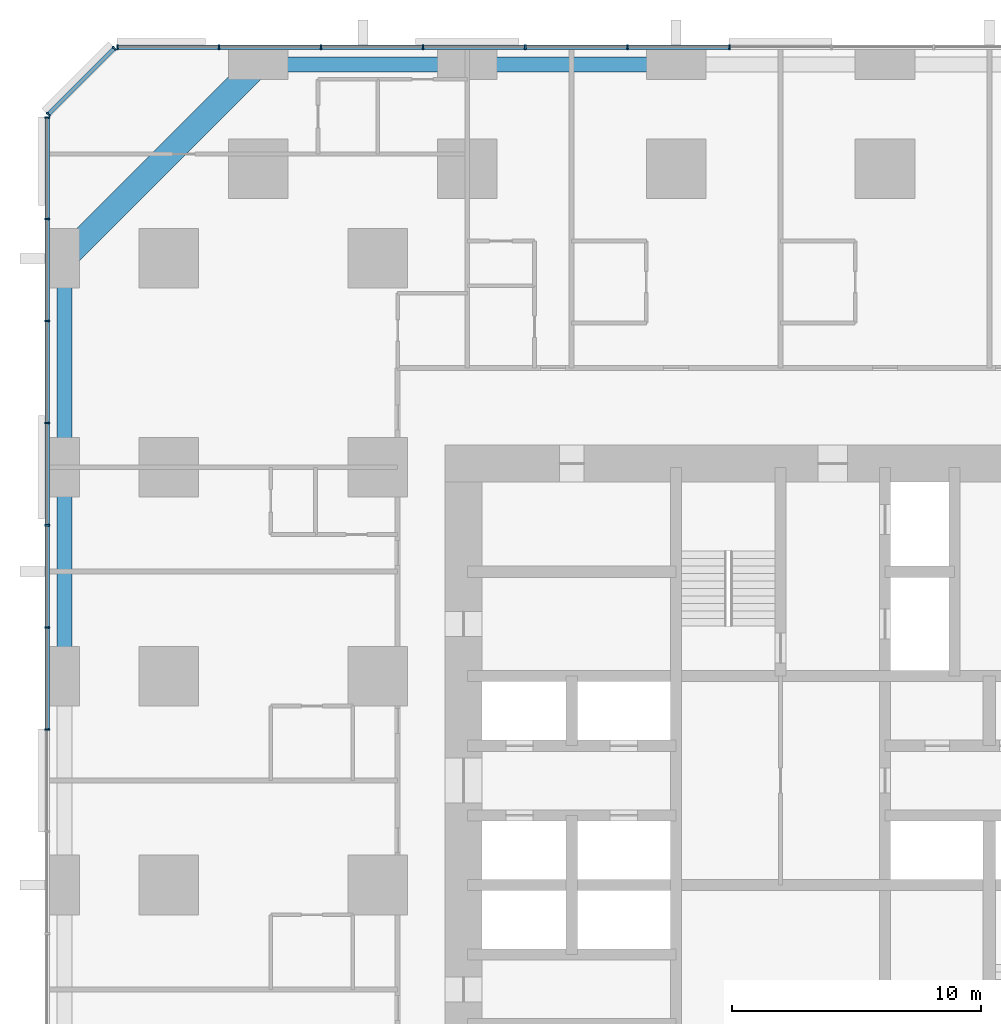
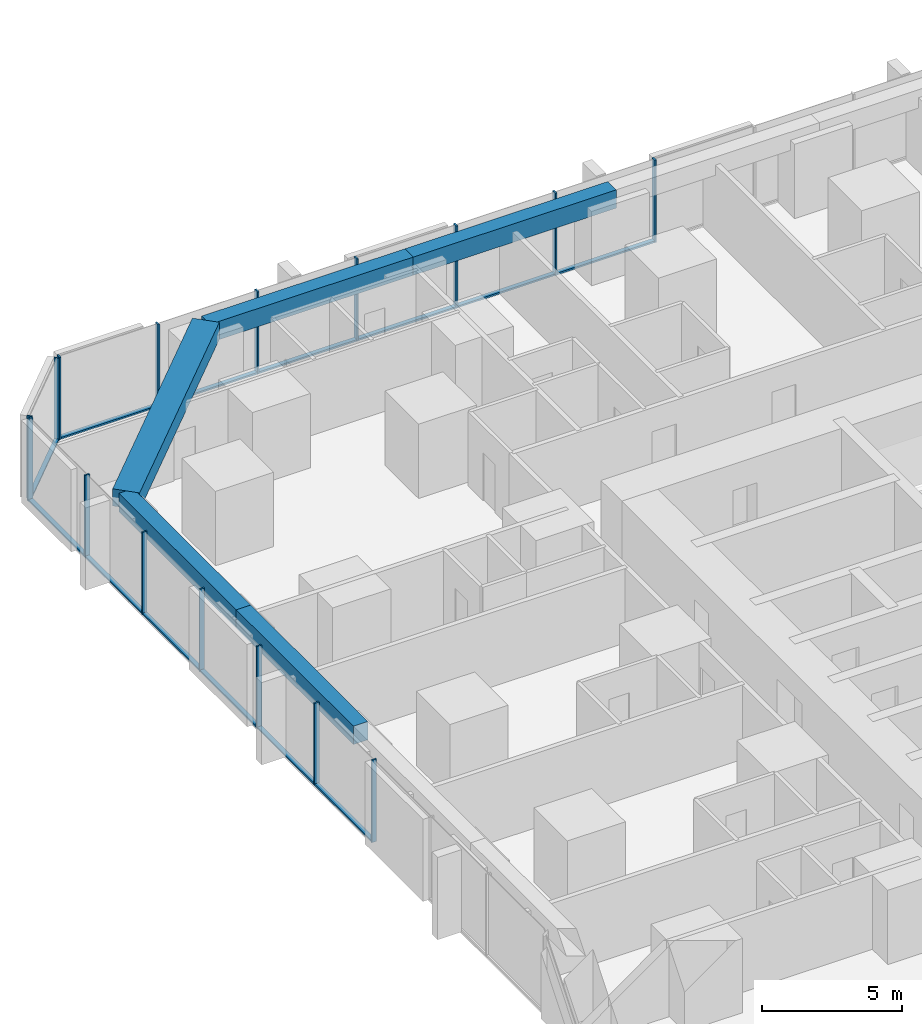
# One storey, part 6 of 17: 29 members, 5 beams, 3 elements without a shape of their own.
"""IFC4 building model written with IfcOpenShell, lengths in metres."""

from ifc_helpers import new_model, si_unit, direction, frame, origin, origin_2d, place, context, subcontext, project, spatial, rectangle, extrude, material, material_profile, profile_set, type_object, element, aggregate, save


model = new_model("IFC4")

# Units and contexts
model_context = context("Model", 3, precision=1e-05, world=origin(), true_north=direction((0.0, 1.0)))
body_context = subcontext(model_context, "Body", "Model", "MODEL_VIEW")
ifc_project = project(units=[si_unit("LENGTHUNIT", "METRE"), si_unit("AREAUNIT", "SQUARE_METRE"), si_unit("VOLUMEUNIT", "CUBIC_METRE"), si_unit("PLANEANGLEUNIT", "RADIAN"), si_unit("MASSUNIT", "GRAM", prefix="KILO")], contexts=[model_context])

# Site, building, storey
site_placement = place(None, origin())
site = spatial("IfcSite", under=ifc_project, at=site_placement, CompositionType="ELEMENT")
building_placement = place(site_placement, origin())
building = spatial("IfcBuilding", under=site, at=building_placement, Name="Dunama Terrace Hotel", CompositionType="ELEMENT")
storey_placement = place(building_placement, frame((0.0, 0.0, 81.0)))
storey = spatial("IfcBuildingStorey", under=building, at=storey_placement, Name="L20", CompositionType="ELEMENT", Elevation=81.0)

# Curtain wall, members
ifc_material_1 = material(Name="Aluminium curtain wall system", Category="aluminium")
curtain_wall_type = type_object("IfcCurtainWallType", Name="Unitised fritted glass wall CW-A", PredefinedType="NOTDEFINED", material=ifc_material_1)
curtain_wall_1_placement = place(storey_placement, origin())
curtain_wall_1 = element("IfcCurtainWall", 1, at=curtain_wall_1_placement, inside=storey, type_object=curtain_wall_type, Name="Unitised fritted glass wall CW-A L20", PredefinedType="NOTDEFINED")
ifc_material_2 = material(Name="Aluminium mullion", Category="aluminium")
ifc_material_profile_1 = material_profile(ifc_material_2, rectangle(XDim=0.06494140625, YDim=0.199951171875, at=origin_2d()), Name="CWA MULLION 65X200")
ifc_profile_set_1 = profile_set([ifc_material_profile_1], Name="Aluminium mullion")
member_type_1 = type_object("IfcMemberType", Name="CWA mullion 65x200", PredefinedType="MULLION", material=ifc_profile_set_1)
member_1_placement = place(storey_placement, frame((27.345947265625, 58.89990234375, 0.0), z_axis=(0.0, 0.0, 1.0), x_axis=(-1.0, 0.0, 0.0)))
member_1 = element("IfcMember", 2, at=member_1_placement, type_object=member_type_1, Name="CWA mullion", PredefinedType="MULLION", context=body_context, shape_type="SweptSolid", body=[
    extrude(rectangle(XDim=0.06494140625, YDim=0.199951171875, at=origin_2d()), origin(), (0.0, 0.0, 1.0), 3.60009765625),
])
member_2_placement = place(storey_placement, frame((23.238037109375, 58.89990234375, 0.0), z_axis=(0.0, 0.0, 1.0), x_axis=(-1.0, 0.0, 0.0)))
member_2 = element("IfcMember", 3, at=member_2_placement, type_object=member_type_1, Name="CWA mullion", PredefinedType="MULLION", context=body_context, shape_type="SweptSolid", body=[
    extrude(rectangle(XDim=0.06494140625, YDim=0.199951171875, at=origin_2d()), origin(), (0.0, 0.0, 1.0), 3.60009765625),
])
member_3_placement = place(storey_placement, frame((19.131103515625, 58.89990234375, 0.0), z_axis=(0.0, 0.0, 1.0), x_axis=(-1.0, 0.0, 0.0)))
member_3 = element("IfcMember", 4, at=member_3_placement, type_object=member_type_1, Name="CWA mullion", PredefinedType="MULLION", context=body_context, shape_type="SweptSolid", body=[
    extrude(rectangle(XDim=0.06494140625, YDim=0.199951171875, at=origin_2d()), origin(), (0.0, 0.0, 1.0), 3.60009765625),
])
member_4_placement = place(storey_placement, frame((15.02294921875, 58.89990234375, 0.0), z_axis=(0.0, 0.0, 1.0), x_axis=(-1.0, 0.0, 0.0)))
member_4 = element("IfcMember", 5, at=member_4_placement, type_object=member_type_1, Name="CWA mullion", PredefinedType="MULLION", context=body_context, shape_type="SweptSolid", body=[
    extrude(rectangle(XDim=0.06494140625, YDim=0.199951171875, at=origin_2d()), origin(), (0.0, 0.0, 1.0), 3.60009765625),
])
member_5_placement = place(storey_placement, frame((10.9150390625, 58.89990234375, 0.0), z_axis=(0.0, 0.0, 1.0), x_axis=(-1.0, 0.0, 0.0)))
member_5 = element("IfcMember", 6, at=member_5_placement, type_object=member_type_1, Name="CWA mullion", PredefinedType="MULLION", context=body_context, shape_type="SweptSolid", body=[
    extrude(rectangle(XDim=0.06494140625, YDim=0.199951171875, at=origin_2d()), origin(), (0.0, 0.0, 1.0), 3.60009765625),
])
member_6_placement = place(storey_placement, frame((6.80810546875, 58.89990234375, 0.0), z_axis=(0.0, 0.0, 1.0), x_axis=(-1.0, 0.0, 0.0)))
member_6 = element("IfcMember", 7, at=member_6_placement, type_object=member_type_1, Name="CWA mullion", PredefinedType="MULLION", context=body_context, shape_type="SweptSolid", body=[
    extrude(rectangle(XDim=0.06494140625, YDim=0.199951171875, at=origin_2d()), origin(), (0.0, 0.0, 1.0), 3.60009765625),
])
member_7_placement = place(storey_placement, frame((2.73291015625, 58.89990234375, 0.0), z_axis=(0.0, 0.0, 1.0), x_axis=(-1.0, 0.0, 0.0)))
member_7 = element("IfcMember", 8, at=member_7_placement, type_object=member_type_1, Name="CWA mullion", PredefinedType="MULLION", context=body_context, shape_type="SweptSolid", body=[
    extrude(rectangle(XDim=0.06494140625, YDim=0.199951171875, at=origin_2d()), origin(), (0.0, 0.0, 1.0), 3.60009765625),
])

curtain_wall_2_placement = place(storey_placement, origin())
curtain_wall_2 = element("IfcCurtainWall", 9, at=curtain_wall_2_placement, inside=storey, type_object=curtain_wall_type, Name="Unitised fritted glass wall CW-A L20", PredefinedType="NOTDEFINED")
member_8_placement = place(storey_placement, frame((2.60595703125, 58.847900390625, 0.0), z_axis=(0.0, 0.0, 1.0), x_axis=(-0.707106781187, -0.707106781187, 0.0)))
member_8 = element("IfcMember", 10, at=member_8_placement, type_object=member_type_1, Name="CWA mullion", PredefinedType="MULLION", context=body_context, shape_type="SweptSolid", body=[
    extrude(rectangle(XDim=0.06494140625, YDim=0.199951171875, at=origin_2d()), origin(), (0.0, 0.0, 1.0), 3.60009765625),
])
member_9_placement = place(storey_placement, frame((-0.048095703125, 56.194091796875, 0.0), z_axis=(0.0, 0.0, 1.0), x_axis=(-0.707106781187, -0.707106781187, 0.0)))
member_9 = element("IfcMember", 11, at=member_9_placement, type_object=member_type_1, Name="CWA mullion", PredefinedType="MULLION", context=body_context, shape_type="SweptSolid", body=[
    extrude(rectangle(XDim=0.06494140625, YDim=0.199951171875, at=origin_2d()), origin(), (0.0, 0.0, 1.0), 3.60009765625),
])

curtain_wall_3_placement = place(storey_placement, origin())
curtain_wall_3 = element("IfcCurtainWall", 12, at=curtain_wall_3_placement, inside=storey, type_object=curtain_wall_type, Name="Unitised fritted glass wall CW-A L20", PredefinedType="NOTDEFINED")
member_10_placement = place(storey_placement, frame((-0.10009765625, 56.06689453125, 0.0), z_axis=(0.0, 0.0, 1.0), x_axis=(0.0, -1.0, 0.0)))
member_10 = element("IfcMember", 13, at=member_10_placement, type_object=member_type_1, Name="CWA mullion", PredefinedType="MULLION", context=body_context, shape_type="SweptSolid", body=[
    extrude(rectangle(XDim=0.06494140625, YDim=0.199951171875, at=origin_2d()), origin(), (0.0, 0.0, 1.0), 3.60009765625),
])
member_11_placement = place(storey_placement, frame((-0.10009765625, 51.991943359375, 0.0), z_axis=(0.0, 0.0, 1.0), x_axis=(0.0, -1.0, 0.0)))
member_11 = element("IfcMember", 14, at=member_11_placement, type_object=member_type_1, Name="CWA mullion", PredefinedType="MULLION", context=body_context, shape_type="SweptSolid", body=[
    extrude(rectangle(XDim=0.06494140625, YDim=0.199951171875, at=origin_2d()), origin(), (0.0, 0.0, 1.0), 3.60009765625),
])
member_12_placement = place(storey_placement, frame((-0.10009765625, 47.885009765625, 0.0), z_axis=(0.0, 0.0, 1.0), x_axis=(0.0, -1.0, 0.0)))
member_12 = element("IfcMember", 15, at=member_12_placement, type_object=member_type_1, Name="CWA mullion", PredefinedType="MULLION", context=body_context, shape_type="SweptSolid", body=[
    extrude(rectangle(XDim=0.06494140625, YDim=0.199951171875, at=origin_2d()), origin(), (0.0, 0.0, 1.0), 3.60009765625),
])
member_13_placement = place(storey_placement, frame((-0.10009765625, 43.777099609375, 0.0), z_axis=(0.0, 0.0, 1.0), x_axis=(0.0, -1.0, 0.0)))
member_13 = element("IfcMember", 16, at=member_13_placement, type_object=member_type_1, Name="CWA mullion", PredefinedType="MULLION", context=body_context, shape_type="SweptSolid", body=[
    extrude(rectangle(XDim=0.06494140625, YDim=0.199951171875, at=origin_2d()), origin(), (0.0, 0.0, 1.0), 3.60009765625),
])
member_14_placement = place(storey_placement, frame((-0.10009765625, 39.6689453125, 0.0), z_axis=(0.0, 0.0, 1.0), x_axis=(0.0, -1.0, 0.0)))
member_14 = element("IfcMember", 17, at=member_14_placement, type_object=member_type_1, Name="CWA mullion", PredefinedType="MULLION", context=body_context, shape_type="SweptSolid", body=[
    extrude(rectangle(XDim=0.06494140625, YDim=0.199951171875, at=origin_2d()), origin(), (0.0, 0.0, 1.0), 3.60009765625),
])
member_15_placement = place(storey_placement, frame((-0.10009765625, 35.56201171875, 0.0), z_axis=(0.0, 0.0, 1.0), x_axis=(0.0, -1.0, 0.0)))
member_15 = element("IfcMember", 18, at=member_15_placement, type_object=member_type_1, Name="CWA mullion", PredefinedType="MULLION", context=body_context, shape_type="SweptSolid", body=[
    extrude(rectangle(XDim=0.06494140625, YDim=0.199951171875, at=origin_2d()), origin(), (0.0, 0.0, 1.0), 3.60009765625),
])
member_16_placement = place(storey_placement, frame((-0.10009765625, 31.4541015625, 0.0), z_axis=(0.0, 0.0, 1.0), x_axis=(0.0, -1.0, 0.0)))
member_16 = element("IfcMember", 19, at=member_16_placement, type_object=member_type_1, Name="CWA mullion", PredefinedType="MULLION", context=body_context, shape_type="SweptSolid", body=[
    extrude(rectangle(XDim=0.06494140625, YDim=0.199951171875, at=origin_2d()), origin(), (0.0, 0.0, 1.0), 3.60009765625),
])

# Member
ifc_material_3 = material(Name="Aluminium transom", Category="aluminium")
ifc_material_profile_2 = material_profile(ifc_material_3, rectangle(XDim=0.179931640625, YDim=0.074951171875, at=origin_2d()), Name="CWA TRANSOM 180X75")
ifc_profile_set_2 = profile_set([ifc_material_profile_2], Name="Aluminium transom")
member_type_2 = type_object("IfcMemberType", Name="CWA transom 180x75", PredefinedType="USERDEFINED", material=ifc_profile_set_2)
member_17_placement = place(storey_placement, frame((27.31396484375, 58.89990234375, 0.03759765625), z_axis=(-1.0, 0.0, 0.0), x_axis=(0.0, -1.0, 0.0)))
member_17 = element("IfcMember", 20, at=member_17_placement, type_object=member_type_2, Name="CWA transom", ObjectType="TRANSOM", PredefinedType="USERDEFINED", context=body_context, shape_type="SweptSolid", body=[
    extrude(rectangle(XDim=0.179931640625, YDim=0.074951171875, at=origin_2d()), origin(), (0.0, 0.0, 1.0), 4.04296875),
])

member_18_placement = place(storey_placement, frame((23.2060546875, 58.89990234375, 0.03759765625), z_axis=(-1.0, 0.0, 0.0), x_axis=(0.0, -1.0, 0.0)))
member_18 = element("IfcMember", 21, at=member_18_placement, type_object=member_type_2, Name="CWA transom", ObjectType="TRANSOM", PredefinedType="USERDEFINED", context=body_context, shape_type="SweptSolid", body=[
    extrude(rectangle(XDim=0.179931640625, YDim=0.074951171875, at=origin_2d()), origin(), (0.0, 0.0, 1.0), 4.04296875),
])

member_19_placement = place(storey_placement, frame((19.097900390625, 58.89990234375, 0.03759765625), z_axis=(-1.0, 0.0, 0.0), x_axis=(0.0, -1.0, 0.0)))
member_19 = element("IfcMember", 22, at=member_19_placement, type_object=member_type_2, Name="CWA transom", ObjectType="TRANSOM", PredefinedType="USERDEFINED", context=body_context, shape_type="SweptSolid", body=[
    extrude(rectangle(XDim=0.179931640625, YDim=0.074951171875, at=origin_2d()), origin(), (0.0, 0.0, 1.0), 4.0419921875),
])

member_20_placement = place(storey_placement, frame((14.990966796875, 58.89990234375, 0.03759765625), z_axis=(-1.0, 0.0, 0.0), x_axis=(0.0, -1.0, 0.0)))
member_20 = element("IfcMember", 23, at=member_20_placement, type_object=member_type_2, Name="CWA transom", ObjectType="TRANSOM", PredefinedType="USERDEFINED", context=body_context, shape_type="SweptSolid", body=[
    extrude(rectangle(XDim=0.179931640625, YDim=0.074951171875, at=origin_2d()), origin(), (0.0, 0.0, 1.0), 4.04296875),
])

member_21_placement = place(storey_placement, frame((10.883056640625, 58.89990234375, 0.03759765625), z_axis=(-1.0, 0.0, 0.0), x_axis=(0.0, -1.0, 0.0)))
member_21 = element("IfcMember", 24, at=member_21_placement, type_object=member_type_2, Name="CWA transom", ObjectType="TRANSOM", PredefinedType="USERDEFINED", context=body_context, shape_type="SweptSolid", body=[
    extrude(rectangle(XDim=0.179931640625, YDim=0.074951171875, at=origin_2d()), origin(), (0.0, 0.0, 1.0), 4.04296875),
])

member_22_placement = place(storey_placement, frame((6.77490234375, 58.89990234375, 0.03759765625), z_axis=(-1.0, 0.0, 0.0), x_axis=(0.0, -1.0, 0.0)))
member_22 = element("IfcMember", 25, at=member_22_placement, type_object=member_type_2, Name="CWA transom", ObjectType="TRANSOM", PredefinedType="USERDEFINED", context=body_context, shape_type="SweptSolid", body=[
    extrude(rectangle(XDim=0.179931640625, YDim=0.074951171875, at=origin_2d()), origin(), (0.0, 0.0, 1.0), 4.010009765625),
])

aggregate(curtain_wall_1, [member_1, member_2, member_3, member_4, member_5, member_6, member_7, member_17, member_18, member_19, member_20, member_21, member_22])

member_23_placement = place(storey_placement, frame((2.5830078125, 58.824951171875, 0.03759765625), z_axis=(-0.707106781187, -0.707106781187, 0.0), x_axis=(0.707106781187, -0.707106781187, 0.0)))
member_23 = element("IfcMember", 26, at=member_23_placement, type_object=member_type_2, Name="CWA transom", ObjectType="TRANSOM", PredefinedType="USERDEFINED", context=body_context, shape_type="SweptSolid", body=[
    extrude(rectangle(XDim=0.179931640625, YDim=0.074951171875, at=origin_2d()), origin(), (0.0, 0.0, 1.0), 3.688232421875),
])

aggregate(curtain_wall_2, [member_8, member_9, member_23])

member_24_placement = place(storey_placement, frame((-0.10009765625, 56.034912109375, 0.03759765625), z_axis=(0.0, -1.0, 0.0), x_axis=(1.0, 0.0, 0.0)))
member_24 = element("IfcMember", 27, at=member_24_placement, type_object=member_type_2, Name="CWA transom", ObjectType="TRANSOM", PredefinedType="USERDEFINED", context=body_context, shape_type="SweptSolid", body=[
    extrude(rectangle(XDim=0.179931640625, YDim=0.074951171875, at=origin_2d()), origin(), (0.0, 0.0, 1.0), 4.010009765625),
])

member_25_placement = place(storey_placement, frame((-0.10009765625, 51.9599609375, 0.03759765625), z_axis=(0.0, -1.0, 0.0), x_axis=(1.0, 0.0, 0.0)))
member_25 = element("IfcMember", 28, at=member_25_placement, type_object=member_type_2, Name="CWA transom", ObjectType="TRANSOM", PredefinedType="USERDEFINED", context=body_context, shape_type="SweptSolid", body=[
    extrude(rectangle(XDim=0.179931640625, YDim=0.074951171875, at=origin_2d()), origin(), (0.0, 0.0, 1.0), 4.04296875),
])

member_26_placement = place(storey_placement, frame((-0.10009765625, 47.85205078125, 0.03759765625), z_axis=(0.0, -1.0, 0.0), x_axis=(1.0, 0.0, 0.0)))
member_26 = element("IfcMember", 29, at=member_26_placement, type_object=member_type_2, Name="CWA transom", ObjectType="TRANSOM", PredefinedType="USERDEFINED", context=body_context, shape_type="SweptSolid", body=[
    extrude(rectangle(XDim=0.179931640625, YDim=0.074951171875, at=origin_2d()), origin(), (0.0, 0.0, 1.0), 4.04296875),
])

member_27_placement = place(storey_placement, frame((-0.10009765625, 43.743896484375, 0.03759765625), z_axis=(0.0, -1.0, 0.0), x_axis=(1.0, 0.0, 0.0)))
member_27 = element("IfcMember", 30, at=member_27_placement, type_object=member_type_2, Name="CWA transom", ObjectType="TRANSOM", PredefinedType="USERDEFINED", context=body_context, shape_type="SweptSolid", body=[
    extrude(rectangle(XDim=0.179931640625, YDim=0.074951171875, at=origin_2d()), origin(), (0.0, 0.0, 1.0), 4.0419921875),
])

member_28_placement = place(storey_placement, frame((-0.10009765625, 39.636962890625, 0.03759765625), z_axis=(0.0, -1.0, 0.0), x_axis=(1.0, 0.0, 0.0)))
member_28 = element("IfcMember", 31, at=member_28_placement, type_object=member_type_2, Name="CWA transom", ObjectType="TRANSOM", PredefinedType="USERDEFINED", context=body_context, shape_type="SweptSolid", body=[
    extrude(rectangle(XDim=0.179931640625, YDim=0.074951171875, at=origin_2d()), origin(), (0.0, 0.0, 1.0), 4.04296875),
])

member_29_placement = place(storey_placement, frame((-0.10009765625, 35.529052734375, 0.03759765625), z_axis=(0.0, -1.0, 0.0), x_axis=(1.0, 0.0, 0.0)))
member_29 = element("IfcMember", 32, at=member_29_placement, type_object=member_type_2, Name="CWA transom", ObjectType="TRANSOM", PredefinedType="USERDEFINED", context=body_context, shape_type="SweptSolid", body=[
    extrude(rectangle(XDim=0.179931640625, YDim=0.074951171875, at=origin_2d()), origin(), (0.0, 0.0, 1.0), 4.04296875),
])

aggregate(curtain_wall_3, [member_10, member_11, member_12, member_13, member_14, member_15, member_16, member_24, member_25, member_26, member_27, member_28, member_29])

# Beams
ifc_material_4 = material(Name="Concrete C50/60", Category="concrete")
ifc_material_profile_3 = material_profile(ifc_material_4, rectangle(XDim=1.0, YDim=0.75, at=origin_2d()), Name="RC 1000x750")
ifc_profile_set_3 = profile_set([ifc_material_profile_3], Name="Concrete C50/60")
beam_type_1 = type_object("IfcBeamType", Name="Edge beam RC 1000x750", PredefinedType="SPANDREL", material=ifc_profile_set_3)
beam_1_placement = place(storey_placement, frame((8.39990234375, 58.199951171875, 3.22509765625), z_axis=(-0.707095714747, -0.707117847453, 0.0), x_axis=(0.707117847453, -0.707095714747, 0.0)))
element("IfcBeam", 33, at=beam_1_placement, inside=storey, type_object=beam_type_1, Name="Corner edge beam under L21", PredefinedType="SPANDREL", context=body_context, shape_type="SweptSolid", body=[
    extrude(rectangle(XDim=1.0, YDim=0.75, at=origin_2d()), origin(), (0.0, 0.0, 1.0), 11.03076171875),
])
ifc_material_5 = material(Name="Concrete C40/50", Category="concrete")
ifc_material_profile_4 = material_profile(ifc_material_5, rectangle(XDim=0.60009765625, YDim=0.800048828125, at=origin_2d()), Name="RC 600x800")
ifc_profile_set_4 = profile_set([ifc_material_profile_4], Name="Concrete C40/50")
beam_type_2 = type_object("IfcBeamType", Name="Edge beam RC 600x800", PredefinedType="SPANDREL", material=ifc_profile_set_4)
for number, where, z_axis, x_axis, name in (
    (34, (0.60009765625, 33.60009765625, 3.199951171875), (0.0, 1.0, 0.0), (-1.0, 0.0, 0.0), "Edge beam under L21"),
    (35, (0.60009765625, 42.0, 3.199951171875), (0.0, 1.0, 0.0), (-1.0, 0.0, 0.0), "Edge beam under L21"),
):
    element("IfcBeam", number, at=place(storey_placement, frame(where, z_axis=z_axis, x_axis=x_axis)), inside=storey, type_object=beam_type_2, Name=name, PredefinedType="SPANDREL", context=body_context, shape_type="SweptSolid", body=[
        extrude(rectangle(XDim=0.60009765625, YDim=0.800048828125, at=origin_2d()), origin(), (0.0, 0.0, 1.0), 8.39990234375),
    ])
beam_2_placement = place(storey_placement, frame((8.39990234375, 58.199951171875, 3.199951171875), z_axis=(1.0, 0.0, 0.0), x_axis=(0.0, 1.0, 0.0)))
element("IfcBeam", 36, at=beam_2_placement, inside=storey, type_object=beam_type_2, Name="Edge beam under L21", PredefinedType="SPANDREL", context=body_context, shape_type="SweptSolid", body=[
    extrude(rectangle(XDim=0.60009765625, YDim=0.800048828125, at=origin_2d()), origin(), (0.0, 0.0, 1.0), 8.400146484375),
])
beam_3_placement = place(storey_placement, frame((16.800048828125, 58.199951171875, 3.199951171875), z_axis=(1.0, 0.0, 0.0), x_axis=(0.0, 1.0, 0.0)))
element("IfcBeam", 37, at=beam_3_placement, inside=storey, type_object=beam_type_2, Name="Edge beam under L21", PredefinedType="SPANDREL", context=body_context, shape_type="SweptSolid", body=[
    extrude(rectangle(XDim=0.60009765625, YDim=0.800048828125, at=origin_2d()), origin(), (0.0, 0.0, 1.0), 8.39990234375),
])

save(model, "model.ifc")
